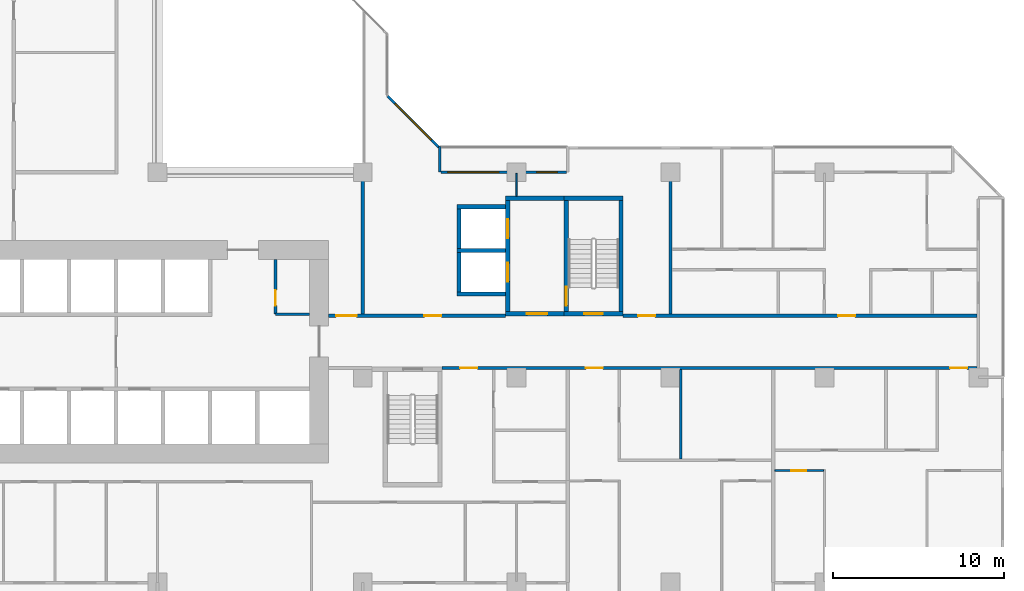
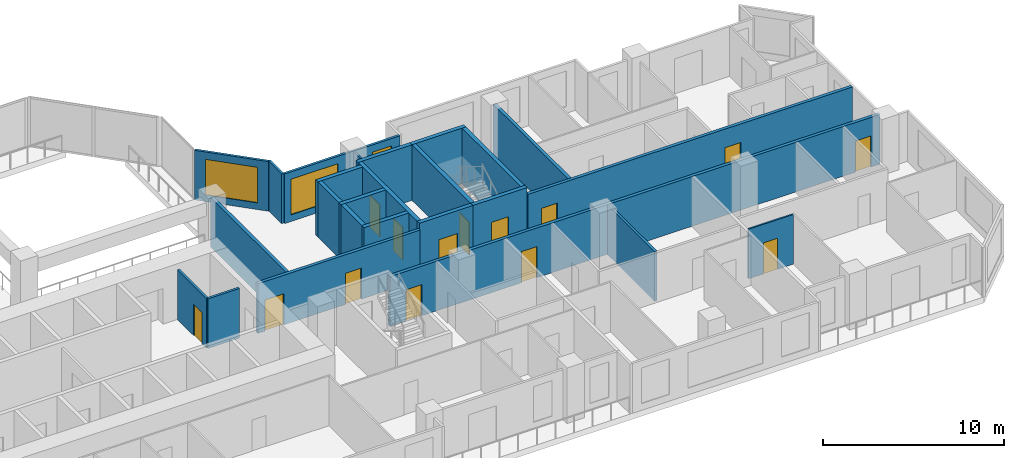
# One storey, part 7 of 15: 25 walls, 14 doors, 3 windows, 17 openings.
"""IFC4 building model written with IfcOpenShell, lengths in metres."""

from ifc_helpers import new_model, si_unit, direction, frame, frame_2d, origin, place, context, subcontext, project, spatial, rectangle, extrude, material, layer, layer_set, type_object, element, fill, save


model = new_model("IFC4")

# Units and contexts
model_context = context("Model", 3, precision=1e-05, world=origin(), true_north=direction((0.0, 1.0)))
body_context = subcontext(model_context, "Body", "Model", "MODEL_VIEW")
ifc_project = project(units=[si_unit("LENGTHUNIT", "METRE"), si_unit("AREAUNIT", "SQUARE_METRE"), si_unit("VOLUMEUNIT", "CUBIC_METRE"), si_unit("PLANEANGLEUNIT", "RADIAN"), si_unit("MASSUNIT", "GRAM", prefix="KILO")], contexts=[model_context])

# Site, building, storey
site_placement = place(None, origin())
site = spatial("IfcSite", under=ifc_project, at=site_placement, CompositionType="ELEMENT")
building_placement = place(site_placement, origin())
building = spatial("IfcBuilding", under=site, at=building_placement, Name="Chenar Terraces", CompositionType="ELEMENT")
storey_placement = place(building_placement, frame((0.0, 0.0, 60.14990234375)))
storey = spatial("IfcBuildingStorey", under=building, at=storey_placement, Name="L12", CompositionType="ELEMENT", Elevation=60.14990234375)

# Wall, opening, door
ifc_material_1 = material(Name="Gypsum board on steel studs", Category="steel")
ifc_layer_1 = layer(ifc_material_1, 0.14990234375)
ifc_layer_set_1 = layer_set([ifc_layer_1], Name="Gypsum board on steel studs")
wall_type_1 = type_object("IfcWallType", Name="Core partition 150 gypsum board", PredefinedType="PARTITIONING", material=ifc_layer_set_1)
wall_1_placement = place(storey_placement, frame((30.89990234375, 15.699951171875, 0.0), z_axis=(0.0, 0.0, 1.0), x_axis=(0.0, 1.0, 0.0)))
wall_1 = element("IfcWall", 1, at=wall_1_placement, inside=storey, type_object=wall_type_1, Name="Core partition CP1 vestibule room west wall", PredefinedType="PARTITIONING", context=body_context, shape_type="SweptSolid", body=[
    extrude(rectangle(XDim=3.199951171875, YDim=0.14990234375, at=frame_2d((1.60009765625, 0.0))), origin(), (0.0, 0.0, 1.0), 3.35009765625),
])
opening_1_placement = place(wall_1_placement, frame((0.5, 0.0, 0.0)))
opening_1 = element("IfcOpeningElement", 2, at=opening_1_placement, cuts=wall_1, Name="Opening DL12-C13", PredefinedType="OPENING", context=body_context, shape_type="SweptSolid", body=[
    extrude(rectangle(XDim=0.89990234375, YDim=2.10009765625, at=frame_2d((0.449951171875, 1.050048828125))), frame((0.0, 0.0849609375, 0.0), z_axis=(0.0, -1.0, 0.0), x_axis=(1.0, 0.0, 0.0)), (0.0, 0.0, 1.0), 0.169921875),
])
ifc_material_2 = material(Name="Steel-framed fire-resisting door leaf", Category="steel")
door_type_1 = type_object("IfcDoorType", Name="Riser fire door FD60 900 x 2100", OperationType="SINGLE_SWING_LEFT", PredefinedType="DOOR", material=ifc_material_2)
door_1_placement = place(opening_1_placement, frame((0.89990234375, 0.0, 0.0), z_axis=(0.0, 0.0, 1.0), x_axis=(-1.0, 0.0, 0.0)))
door_1 = element("IfcDoor", 3, at=door_1_placement, inside=storey, type_object=door_type_1, Name="Core room door DL12-C13", OperationType="SINGLE_SWING_RIGHT", OverallHeight=2.10009765625, OverallWidth=0.89990234375, PredefinedType="DOOR", context=body_context, shape_type="SweptSolid", body=[
    extrude(rectangle(XDim=0.89990234375, YDim=2.10009765625, at=frame_2d((0.449951171875, 1.050048828125))), frame((0.0, 0.02490234375, 0.0), z_axis=(0.0, -1.0, 0.0), x_axis=(1.0, 0.0, 0.0)), (0.0, 0.0, 1.0), 0.050048828125),
])
fill(opening_1, door_1)

# Wall
wall_2_placement = place(storey_placement, frame((30.89990234375, 15.699951171875, 0.0), z_axis=(0.0, 0.0, 1.0), x_axis=(1.0, 0.0, 0.0)))
element("IfcWall", 4, at=wall_2_placement, inside=storey, type_object=wall_type_1, Name="Core partition CP1 vestibule room south wall", PredefinedType="PARTITIONING", context=body_context, shape_type="SweptSolid", body=[
    extrude(rectangle(XDim=2.0, YDim=0.14990234375, at=frame_2d((1.0, 0.0))), origin(), (0.0, 0.0, 1.0), 3.35009765625),
])

# Wall, opening, door
ifc_material_3 = material(Name="Concrete C70/85", Category="concrete")
ifc_layer_2 = layer(ifc_material_3, 0.25)
ifc_layer_set_2 = layer_set([ifc_layer_2], Name="Concrete C70/85")
wall_type_2 = type_object("IfcWallType", Name="Core wall 250 Concrete C70/85", PredefinedType="SHEAR", material=ifc_layer_set_2)
wall_3_placement = place(storey_placement, frame((47.77490234375, 15.72509765625, 0.0), z_axis=(0.0, 0.0, 1.0), x_axis=(1.0, 0.0, 0.0)))
wall_3 = element("IfcWall", 5, at=wall_3_placement, inside=storey, type_object=wall_type_2, Name="Core wall ST3_S L12", PredefinedType="SHEAR", context=body_context, shape_type="SweptSolid", body=[
    extrude(rectangle(XDim=3.4501953125, YDim=0.25, at=frame_2d((1.72509765625, 0.0))), origin(), (0.0, 0.0, 1.0), 3.75),
])
opening_2_placement = place(wall_3_placement, frame((1.175048828125, 0.0, 0.0)))
opening_2 = element("IfcOpeningElement", 6, at=opening_2_placement, cuts=wall_3, Name="Opening DL12-C8", PredefinedType="OPENING", context=body_context, shape_type="SweptSolid", body=[
    extrude(rectangle(XDim=1.10009765625, YDim=2.199951171875, at=frame_2d((0.550048828125, 1.10009765625))), frame((0.0, 0.135009765625, 0.0), z_axis=(0.0, -1.0, 0.0), x_axis=(1.0, 0.0, 0.0)), (0.0, 0.0, 1.0), 0.27001953125),
])
ifc_material_4 = material(Name="Steel-framed fire-resisting door leaf", Category="steel")
door_type_2 = type_object("IfcDoorType", Name="Stair fire door FD60 1100 x 2200", OperationType="SINGLE_SWING_LEFT", PredefinedType="DOOR", material=ifc_material_4)
door_2_placement = place(opening_2_placement, frame((1.10009765625, 0.0, 0.0), z_axis=(0.0, 0.0, 1.0), x_axis=(-1.0, 0.0, 0.0)))
door_2 = element("IfcDoor", 7, at=door_2_placement, inside=storey, type_object=door_type_2, Name="Stair door DL12-C8", OperationType="SINGLE_SWING_LEFT", OverallHeight=2.199951171875, OverallWidth=1.10009765625, PredefinedType="DOOR", context=body_context, shape_type="SweptSolid", body=[
    extrude(rectangle(XDim=1.10009765625, YDim=2.199951171875, at=frame_2d((0.550048828125, 1.10009765625))), frame((0.0, 0.02490234375, 0.0), z_axis=(0.0, -1.0, 0.0), x_axis=(1.0, 0.0, 0.0)), (0.0, 0.0, 1.0), 0.050048828125),
])
fill(opening_2, door_2)

# Wall
wall_4_placement = place(storey_placement, frame((47.77490234375, 22.47509765625, 0.0), z_axis=(0.0, 0.0, 1.0), x_axis=(1.0, 0.0, 0.0)))
element("IfcWall", 8, at=wall_4_placement, inside=storey, type_object=wall_type_2, Name="Core wall ST3_N L12", PredefinedType="SHEAR", context=body_context, shape_type="SweptSolid", body=[
    extrude(rectangle(XDim=3.4501953125, YDim=0.25, at=frame_2d((1.72509765625, 0.0))), origin(), (0.0, 0.0, 1.0), 3.75),
])

# Wall, opening, door
wall_5_placement = place(storey_placement, frame((47.89990234375, 15.85009765625, 0.0), z_axis=(0.0, 0.0, 1.0), x_axis=(0.0, 1.0, 0.0)))
wall_5 = element("IfcWall", 9, at=wall_5_placement, inside=storey, type_object=wall_type_2, Name="Core wall ST3_W L12", PredefinedType="SHEAR", context=body_context, shape_type="SweptSolid", body=[
    extrude(rectangle(XDim=6.5, YDim=0.25, at=frame_2d((3.25, 0.0))), origin(), (0.0, 0.0, 1.0), 3.75),
])
opening_3_placement = place(wall_5_placement, frame((0.35009765625, 0.0, 0.0)))
opening_3 = element("IfcOpeningElement", 10, at=opening_3_placement, cuts=wall_5, Name="Opening DL12-C11", PredefinedType="OPENING", context=body_context, shape_type="SweptSolid", body=[
    extrude(rectangle(XDim=1.10009765625, YDim=2.199951171875, at=frame_2d((0.550048828125, 1.10009765625))), frame((0.0, 0.135009765625, 0.0), z_axis=(0.0, -1.0, 0.0), x_axis=(1.0, 0.0, 0.0)), (0.0, 0.0, 1.0), 0.27001953125),
])
door_3_placement = place(opening_3_placement, frame((1.10009765625, 0.0, 0.0), z_axis=(0.0, 0.0, 1.0), x_axis=(-1.0, 0.0, 0.0)))
door_3 = element("IfcDoor", 11, at=door_3_placement, inside=storey, type_object=door_type_2, Name="Stair door DL12-C11", OperationType="SINGLE_SWING_RIGHT", OverallHeight=2.199951171875, OverallWidth=1.10009765625, PredefinedType="DOOR", context=body_context, shape_type="SweptSolid", body=[
    extrude(rectangle(XDim=1.10009765625, YDim=2.199951171875, at=frame_2d((0.550048828125, 1.10009765625))), frame((0.0, 0.02490234375, 0.0), z_axis=(0.0, -1.0, 0.0), x_axis=(1.0, 0.0, 0.0)), (0.0, 0.0, 1.0), 0.050048828125),
])
fill(opening_3, door_3)

# Wall
wall_6_placement = place(storey_placement, frame((51.10009765625, 15.85009765625, 0.0), z_axis=(0.0, 0.0, 1.0), x_axis=(0.0, 1.0, 0.0)))
element("IfcWall", 12, at=wall_6_placement, inside=storey, type_object=wall_type_2, Name="Core wall ST3_E L12", PredefinedType="SHEAR", context=body_context, shape_type="SweptSolid", body=[
    extrude(rectangle(XDim=6.5, YDim=0.25, at=frame_2d((3.25, 0.0))), origin(), (0.0, 0.0, 1.0), 3.75),
])

# Wall, opening, door
wall_7_placement = place(storey_placement, frame((44.35009765625, 15.72509765625, 0.0), z_axis=(0.0, 0.0, 1.0), x_axis=(1.0, 0.0, 0.0)))
wall_7 = element("IfcWall", 13, at=wall_7_placement, inside=storey, type_object=wall_type_2, Name="Core wall F3_LS L12", PredefinedType="SHEAR", context=body_context, shape_type="SweptSolid", body=[
    extrude(rectangle(XDim=3.4248046875, YDim=0.25, at=frame_2d((1.71240234375, 0.0))), origin(), (0.0, 0.0, 1.0), 3.75),
])
opening_4_placement = place(wall_7_placement, frame((1.25, 0.0, 0.0)))
opening_4 = element("IfcOpeningElement", 14, at=opening_4_placement, cuts=wall_7, Name="Opening DL12-C10", PredefinedType="OPENING", context=body_context, shape_type="SweptSolid", body=[
    extrude(rectangle(XDim=1.199951171875, YDim=2.199951171875, at=frame_2d((0.60009765625, 1.10009765625))), frame((0.0, 0.135009765625, 0.0), z_axis=(0.0, -1.0, 0.0), x_axis=(1.0, 0.0, 0.0)), (0.0, 0.0, 1.0), 0.27001953125),
])
ifc_material_5 = material(Name="Steel-framed fire-resisting door leaf", Category="steel")
door_type_3 = type_object("IfcDoorType", Name="Lobby fire door FD60 1200 x 2200", OperationType="SINGLE_SWING_LEFT", PredefinedType="DOOR", material=ifc_material_5)
door_4_placement = place(opening_4_placement, origin())
door_4 = element("IfcDoor", 15, at=door_4_placement, inside=storey, type_object=door_type_3, Name="Core door DL12-C10", OperationType="SINGLE_SWING_RIGHT", OverallHeight=2.199951171875, OverallWidth=1.199951171875, PredefinedType="DOOR", context=body_context, shape_type="SweptSolid", body=[
    extrude(rectangle(XDim=1.199951171875, YDim=2.199951171875, at=frame_2d((0.60009765625, 1.10009765625))), frame((0.0, 0.02490234375, 0.0), z_axis=(0.0, -1.0, 0.0), x_axis=(1.0, 0.0, 0.0)), (0.0, 0.0, 1.0), 0.050048828125),
])
fill(opening_4, door_4)

# Wall
wall_8_placement = place(storey_placement, frame((44.35009765625, 22.47509765625, 0.0), z_axis=(0.0, 0.0, 1.0), x_axis=(1.0, 0.0, 0.0)))
element("IfcWall", 16, at=wall_8_placement, inside=storey, type_object=wall_type_2, Name="Core wall F3_LN L12", PredefinedType="SHEAR", context=body_context, shape_type="SweptSolid", body=[
    extrude(rectangle(XDim=3.4248046875, YDim=0.25, at=frame_2d((1.71240234375, 0.0))), origin(), (0.0, 0.0, 1.0), 3.75),
])

# Wall, openings, doors
wall_9_placement = place(storey_placement, frame((44.47509765625, 15.85009765625, 0.0), z_axis=(0.0, 0.0, 1.0), x_axis=(0.0, 1.0, 0.0)))
wall_9 = element("IfcWall", 17, at=wall_9_placement, inside=storey, type_object=wall_type_2, Name="Core wall F3_LW L12", PredefinedType="SHEAR", context=body_context, shape_type="SweptSolid", body=[
    extrude(rectangle(XDim=6.5, YDim=0.25, at=frame_2d((3.25, 0.0))), origin(), (0.0, 0.0, 1.0), 3.75),
])
opening_5_placement = place(wall_9_placement, frame((1.75, 0.0, 0.0)))
opening_5 = element("IfcOpeningElement", 18, at=opening_5_placement, cuts=wall_9, Name="Opening DL12-LD8", PredefinedType="OPENING", context=body_context, shape_type="SweptSolid", body=[
    extrude(rectangle(XDim=1.10009765625, YDim=2.199951171875, at=frame_2d((0.550048828125, 1.10009765625))), frame((0.0, 0.135009765625, 0.0), z_axis=(0.0, -1.0, 0.0), x_axis=(1.0, 0.0, 0.0)), (0.0, 0.0, 1.0), 0.27001953125),
])
opening_6_placement = place(wall_9_placement, frame((4.300048828125, 0.0, 0.0)))
opening_6 = element("IfcOpeningElement", 19, at=opening_6_placement, cuts=wall_9, Name="Opening DL12-LD9", PredefinedType="OPENING", context=body_context, shape_type="SweptSolid", body=[
    extrude(rectangle(XDim=1.10009765625, YDim=2.199951171875, at=frame_2d((0.550048828125, 1.10009765625))), frame((0.0, 0.135009765625, 0.0), z_axis=(0.0, -1.0, 0.0), x_axis=(1.0, 0.0, 0.0)), (0.0, 0.0, 1.0), 0.27001953125),
])
ifc_material_6 = material(Name="Stainless steel", Category="steel")
door_type_4 = type_object("IfcDoorType", Name="Lift landing door 1100 x 2200 sliding", OperationType="DOUBLE_DOOR_SLIDING", PredefinedType="DOOR", material=ifc_material_6)
door_5_placement = place(opening_5_placement, origin())
door_5 = element("IfcDoor", 20, at=door_5_placement, inside=storey, type_object=door_type_4, Name="Landing door F3", OperationType="DOUBLE_DOOR_SLIDING", OverallHeight=2.199951171875, OverallWidth=1.10009765625, PredefinedType="DOOR", context=body_context, shape_type="SweptSolid", body=[
    extrude(rectangle(XDim=1.10009765625, YDim=2.199951171875, at=frame_2d((0.550048828125, 1.10009765625))), frame((0.0, 0.02490234375, 0.0), z_axis=(0.0, -1.0, 0.0), x_axis=(1.0, 0.0, 0.0)), (0.0, 0.0, 1.0), 0.050048828125),
])
fill(opening_5, door_5)
door_6_placement = place(opening_6_placement, origin())
door_6 = element("IfcDoor", 21, at=door_6_placement, inside=storey, type_object=door_type_4, Name="Landing door F4", OperationType="DOUBLE_DOOR_SLIDING", OverallHeight=2.199951171875, OverallWidth=1.10009765625, PredefinedType="DOOR", context=body_context, shape_type="SweptSolid", body=[
    extrude(rectangle(XDim=1.10009765625, YDim=2.199951171875, at=frame_2d((0.550048828125, 1.10009765625))), frame((0.0, 0.02490234375, 0.0), z_axis=(0.0, -1.0, 0.0), x_axis=(1.0, 0.0, 0.0)), (0.0, 0.0, 1.0), 0.050048828125),
])
fill(opening_6, door_6)

# Walls
for number, where, z_axis, x_axis, name in (
    (22, (41.5, 16.875, 0.0), (0.0, 0.0, 1.0), (1.0, 0.0, 0.0), "Core wall F3_SS L12"),
    (23, (41.5, 19.425048828125, 0.0), (0.0, 0.0, 1.0), (1.0, 0.0, 0.0), "Core wall F3_SM L12"),
    (24, (41.5, 21.97509765625, 0.0), (0.0, 0.0, 1.0), (1.0, 0.0, 0.0), "Core wall F4_SN L12"),
):
    element("IfcWall", number, at=place(storey_placement, frame(where, z_axis=z_axis, x_axis=x_axis)), inside=storey, type_object=wall_type_2, Name=name, PredefinedType="SHEAR", context=body_context, shape_type="SweptSolid", body=[
        extrude(rectangle(XDim=2.85009765625, YDim=0.25, at=frame_2d((1.425048828125, 0.0))), origin(), (0.0, 0.0, 1.0), 3.75),
    ])
for number, where, z_axis, x_axis, name in (
    (25, (41.625, 17.0, 0.0), (0.0, 0.0, 1.0), (0.0, 1.0, 0.0), "Core wall F3_SW L12"),
    (26, (41.625, 19.550048828125, 0.0), (0.0, 0.0, 1.0), (0.0, 1.0, 0.0), "Core wall F4_SW L12"),
):
    element("IfcWall", number, at=place(storey_placement, frame(where, z_axis=z_axis, x_axis=x_axis)), inside=storey, type_object=wall_type_2, Name=name, PredefinedType="SHEAR", context=body_context, shape_type="SweptSolid", body=[
        extrude(rectangle(XDim=2.300048828125, YDim=0.25, at=frame_2d((1.14990234375, 0.0))), origin(), (0.0, 0.0, 1.0), 3.75),
    ])

# Wall, openings, doors
ifc_material_7 = material(Name="Gypsum board on steel studs with fire boards", Category="steel")
ifc_layer_3 = layer(ifc_material_7, 0.199951171875)
ifc_layer_set_3 = layer_set([ifc_layer_3], Name="Gypsum board on steel studs with fire boards")
wall_type_3 = type_object("IfcWallType", Name="Corridor wall 200", PredefinedType="PARTITIONING", material=ifc_layer_set_3)
wall_10_placement = place(storey_placement, frame((34.0, 15.60009765625, 0.0), z_axis=(0.0, 0.0, 1.0), x_axis=(1.0, 0.0, 0.0)))
wall_10 = element("IfcWall", 27, at=wall_10_placement, inside=storey, type_object=wall_type_3, Name="Partition L12-062", PredefinedType="PARTITIONING", context=body_context, shape_type="SweptSolid", body=[
    extrude(rectangle(XDim=10.35009765625, YDim=0.199951171875, at=frame_2d((5.175048828125, 0.0))), origin(), (0.0, 0.0, 1.0), 3.35009765625),
])
opening_7_placement = place(wall_10_placement, frame((5.60009765625, 0.0, 0.0)))
opening_7 = element("IfcOpeningElement", 28, at=opening_7_placement, cuts=wall_10, Name="Opening DL12-3", PredefinedType="OPENING", context=body_context, shape_type="SweptSolid", body=[
    extrude(rectangle(XDim=1.0, YDim=2.10009765625, at=frame_2d((0.5, 1.050048828125))), frame((0.0, 0.10986328125, 0.0), z_axis=(0.0, -1.0, 0.0), x_axis=(1.0, 0.0, 0.0)), (0.0, 0.0, 1.0), 0.219970703125),
])
opening_8_placement = place(wall_10_placement, frame((0.449951171875, 0.0, 0.0)))
opening_8 = element("IfcOpeningElement", 29, at=opening_8_placement, cuts=wall_10, Name="Opening DL12-50", PredefinedType="OPENING", context=body_context, shape_type="SweptSolid", body=[
    extrude(rectangle(XDim=1.199951171875, YDim=2.10009765625, at=frame_2d((0.60009765625, 1.050048828125))), frame((0.0, 0.10986328125, 0.0), z_axis=(0.0, -1.0, 0.0), x_axis=(1.0, 0.0, 0.0)), (0.0, 0.0, 1.0), 0.219970703125),
])
ifc_material_8 = material(Name="Steel-framed fire-resisting door leaf", Category="steel")
door_type_5 = type_object("IfcDoorType", Name="Fire door FD60 1000 x 2100", OperationType="SINGLE_SWING_LEFT", PredefinedType="DOOR", material=ifc_material_8)
door_7_placement = place(opening_7_placement, origin())
door_7 = element("IfcDoor", 30, at=door_7_placement, inside=storey, type_object=door_type_5, Name="Door DL12-3", OperationType="SINGLE_SWING_RIGHT", OverallHeight=2.10009765625, OverallWidth=1.0, PredefinedType="DOOR", context=body_context, shape_type="SweptSolid", body=[
    extrude(rectangle(XDim=1.0, YDim=2.10009765625, at=frame_2d((0.5, 1.050048828125))), frame((0.0, 0.02490234375, 0.0), z_axis=(0.0, -1.0, 0.0), x_axis=(1.0, 0.0, 0.0)), (0.0, 0.0, 1.0), 0.050048828125),
])
fill(opening_7, door_7)
ifc_material_9 = material(Name="Steel-framed fire-resisting door leaf", Category="steel")
door_type_6 = type_object("IfcDoorType", Name="Fire door FD60 1200 x 2100", OperationType="SINGLE_SWING_LEFT", PredefinedType="DOOR", material=ifc_material_9)
door_8_placement = place(opening_8_placement, origin())
door_8 = element("IfcDoor", 31, at=door_8_placement, inside=storey, type_object=door_type_6, Name="Door DL12-50", OperationType="SINGLE_SWING_RIGHT", OverallHeight=2.10009765625, OverallWidth=1.199951171875, PredefinedType="DOOR", context=body_context, shape_type="SweptSolid", body=[
    extrude(rectangle(XDim=1.199951171875, YDim=2.10009765625, at=frame_2d((0.60009765625, 1.050048828125))), frame((0.0, 0.02490234375, 0.0), z_axis=(0.0, -1.0, 0.0), x_axis=(1.0, 0.0, 0.0)), (0.0, 0.0, 1.0), 0.050048828125),
])
fill(opening_8, door_8)

# Wall
wall_11_placement = place(storey_placement, frame((36.0, 15.699951171875, 0.0), z_axis=(0.0, 0.0, 1.0), x_axis=(0.0, 1.0, 0.0)))
element("IfcWall", 32, at=wall_11_placement, inside=storey, type_object=wall_type_3, Name="Partition L12-063", PredefinedType="PARTITIONING", context=body_context, shape_type="SweptSolid", body=[
    extrude(rectangle(XDim=8.300048828125, YDim=0.199951171875, at=frame_2d((4.14990234375, 0.0))), origin(), (0.0, 0.0, 1.0), 3.35009765625),
])

# Wall, openings, doors
wall_12_placement = place(storey_placement, frame((40.64990234375, 12.550048828125, 0.0), z_axis=(0.0, 0.0, 1.0), x_axis=(1.0, 0.0, 0.0)))
wall_12 = element("IfcWall", 33, at=wall_12_placement, inside=storey, type_object=wall_type_3, Name="Partition L12-064", PredefinedType="PARTITIONING", context=body_context, shape_type="SweptSolid", body=[
    extrude(rectangle(XDim=31.276123046875, YDim=0.199951171875, at=frame_2d((15.63818359375, 0.0))), origin(), (0.0, 0.0, 1.0), 3.35009765625),
])
opening_9_placement = place(wall_12_placement, frame((8.39990234375, 0.0, 0.0)))
opening_9 = element("IfcOpeningElement", 34, at=opening_9_placement, cuts=wall_12, Name="Opening DL12-17", PredefinedType="OPENING", context=body_context, shape_type="SweptSolid", body=[
    extrude(rectangle(XDim=1.0, YDim=2.10009765625, at=frame_2d((0.5, 1.050048828125))), frame((0.0, 0.10986328125, 0.0), z_axis=(0.0, -1.0, 0.0), x_axis=(1.0, 0.0, 0.0)), (0.0, 0.0, 1.0), 0.219970703125),
])
opening_10_placement = place(wall_12_placement, frame((29.699951171875, 0.0, 0.0)))
opening_10 = element("IfcOpeningElement", 35, at=opening_10_placement, cuts=wall_12, Name="Opening DL12-22", PredefinedType="OPENING", context=body_context, shape_type="SweptSolid", body=[
    extrude(rectangle(XDim=1.0, YDim=2.10009765625, at=frame_2d((0.5, 1.050048828125))), frame((0.0, 0.10986328125, 0.0), z_axis=(0.0, -1.0, 0.0), x_axis=(1.0, 0.0, 0.0)), (0.0, 0.0, 1.0), 0.219970703125),
])
opening_11_placement = place(wall_12_placement, frame((1.050048828125, 0.0, 0.0)))
opening_11 = element("IfcOpeningElement", 36, at=opening_11_placement, cuts=wall_12, Name="Opening DL12-64", PredefinedType="OPENING", context=body_context, shape_type="SweptSolid", body=[
    extrude(rectangle(XDim=1.0, YDim=2.10009765625, at=frame_2d((0.5, 1.050048828125))), frame((0.0, 0.10986328125, 0.0), z_axis=(0.0, -1.0, 0.0), x_axis=(1.0, 0.0, 0.0)), (0.0, 0.0, 1.0), 0.219970703125),
])
ifc_material_10 = material(Name="Steel-framed fire-resisting door leaf", Category="steel")
door_type_7 = type_object("IfcDoorType", Name="Fire door FD30S 1000 x 2100", OperationType="SINGLE_SWING_LEFT", PredefinedType="DOOR", material=ifc_material_10)
door_9_placement = place(opening_9_placement, frame((1.0, 0.0, 0.0), z_axis=(0.0, 0.0, 1.0), x_axis=(-1.0, 0.0, 0.0)))
door_9 = element("IfcDoor", 37, at=door_9_placement, inside=storey, type_object=door_type_7, Name="Door DL12-17", OperationType="SINGLE_SWING_LEFT", OverallHeight=2.10009765625, OverallWidth=1.0, PredefinedType="DOOR", context=body_context, shape_type="SweptSolid", body=[
    extrude(rectangle(XDim=1.0, YDim=2.10009765625, at=frame_2d((0.5, 1.050048828125))), frame((0.0, 0.02490234375, 0.0), z_axis=(0.0, -1.0, 0.0), x_axis=(1.0, 0.0, 0.0)), (0.0, 0.0, 1.0), 0.050048828125),
])
fill(opening_9, door_9)
door_10_placement = place(opening_10_placement, frame((1.0, 0.0, 0.0), z_axis=(0.0, 0.0, 1.0), x_axis=(-1.0, 0.0, 0.0)))
door_10 = element("IfcDoor", 38, at=door_10_placement, inside=storey, type_object=door_type_7, Name="Door DL12-22", OperationType="SINGLE_SWING_LEFT", OverallHeight=2.10009765625, OverallWidth=1.0, PredefinedType="DOOR", context=body_context, shape_type="SweptSolid", body=[
    extrude(rectangle(XDim=1.0, YDim=2.10009765625, at=frame_2d((0.5, 1.050048828125))), frame((0.0, 0.02490234375, 0.0), z_axis=(0.0, -1.0, 0.0), x_axis=(1.0, 0.0, 0.0)), (0.0, 0.0, 1.0), 0.050048828125),
])
fill(opening_10, door_10)
door_11_placement = place(opening_11_placement, origin())
door_11 = element("IfcDoor", 39, at=door_11_placement, inside=storey, type_object=door_type_7, Name="Door DL12-64", OperationType="SINGLE_SWING_RIGHT", OverallHeight=2.10009765625, OverallWidth=1.0, PredefinedType="DOOR", context=body_context, shape_type="SweptSolid", body=[
    extrude(rectangle(XDim=1.0, YDim=2.10009765625, at=frame_2d((0.5, 1.050048828125))), frame((0.0, 0.02490234375, 0.0), z_axis=(0.0, -1.0, 0.0), x_axis=(1.0, 0.0, 0.0)), (0.0, 0.0, 1.0), 0.050048828125),
])
fill(opening_11, door_11)

wall_13_placement = place(storey_placement, frame((51.22509765625, 15.60009765625, 0.0), z_axis=(0.0, 0.0, 1.0), x_axis=(1.0, 0.0, 0.0)))
wall_13 = element("IfcWall", 40, at=wall_13_placement, inside=storey, type_object=wall_type_3, Name="Partition L12-077", PredefinedType="PARTITIONING", context=body_context, shape_type="SweptSolid", body=[
    extrude(rectangle(XDim=20.700927734375, YDim=0.199951171875, at=frame_2d((10.3505859375, 0.0))), origin(), (0.0, 0.0, 1.0), 3.35009765625),
])
opening_12_placement = place(wall_13_placement, frame((12.574951171875, 0.0, 0.0)))
opening_12 = element("IfcOpeningElement", 41, at=opening_12_placement, cuts=wall_13, Name="Opening DL12-10", PredefinedType="OPENING", context=body_context, shape_type="SweptSolid", body=[
    extrude(rectangle(XDim=1.0, YDim=2.10009765625, at=frame_2d((0.5, 1.050048828125))), frame((0.0, 0.10986328125, 0.0), z_axis=(0.0, -1.0, 0.0), x_axis=(1.0, 0.0, 0.0)), (0.0, 0.0, 1.0), 0.219970703125),
])
opening_13_placement = place(wall_13_placement, frame((0.875, 0.0, 0.0)))
opening_13 = element("IfcOpeningElement", 42, at=opening_13_placement, cuts=wall_13, Name="Opening DL12-53", PredefinedType="OPENING", context=body_context, shape_type="SweptSolid", body=[
    extrude(rectangle(XDim=1.0, YDim=2.10009765625, at=frame_2d((0.5, 1.050048828125))), frame((0.0, 0.10986328125, 0.0), z_axis=(0.0, -1.0, 0.0), x_axis=(1.0, 0.0, 0.0)), (0.0, 0.0, 1.0), 0.219970703125),
])
door_12_placement = place(opening_12_placement, origin())
door_12 = element("IfcDoor", 43, at=door_12_placement, inside=storey, type_object=door_type_7, Name="Door DL12-10", OperationType="SINGLE_SWING_LEFT", OverallHeight=2.10009765625, OverallWidth=1.0, PredefinedType="DOOR", context=body_context, shape_type="SweptSolid", body=[
    extrude(rectangle(XDim=1.0, YDim=2.10009765625, at=frame_2d((0.5, 1.050048828125))), frame((0.0, 0.02490234375, 0.0), z_axis=(0.0, -1.0, 0.0), x_axis=(1.0, 0.0, 0.0)), (0.0, 0.0, 1.0), 0.050048828125),
])
fill(opening_12, door_12)
door_13_placement = place(opening_13_placement, origin())
door_13 = element("IfcDoor", 44, at=door_13_placement, inside=storey, type_object=door_type_7, Name="Door DL12-53", OperationType="SINGLE_SWING_RIGHT", OverallHeight=2.10009765625, OverallWidth=1.0, PredefinedType="DOOR", context=body_context, shape_type="SweptSolid", body=[
    extrude(rectangle(XDim=1.0, YDim=2.10009765625, at=frame_2d((0.5, 1.050048828125))), frame((0.0, 0.02490234375, 0.0), z_axis=(0.0, -1.0, 0.0), x_axis=(1.0, 0.0, 0.0)), (0.0, 0.0, 1.0), 0.050048828125),
])
fill(opening_13, door_13)

# Wall, openings, windows
ifc_material_11 = material(Name="Aluminium framed glazing", Category="aluminium")
ifc_layer_4 = layer(ifc_material_11, 0.14990234375)
ifc_layer_set_4 = layer_set([ifc_layer_4], Name="Aluminium framed glazing")
wall_type_4 = type_object("IfcWallType", Name="Glazed loggia back wall 150", PredefinedType="SOLIDWALL", material=ifc_layer_set_4)
wall_14_placement = place(storey_placement, frame((47.925048828125, 24.0, 0.0), z_axis=(0.0, 0.0, 1.0), x_axis=(-1.0, 0.0, 0.0)))
wall_14 = element("IfcWall", 45, at=wall_14_placement, inside=storey, type_object=wall_type_4, Name="Glazed loggia back wall", PredefinedType="SOLIDWALL", context=body_context, shape_type="SweptSolid", body=[
    extrude(rectangle(XDim=7.35009765625, YDim=0.14990234375, at=frame_2d((3.675048828125, 0.0))), origin(), (0.0, 0.0, 1.0), 3.35009765625),
])
opening_14_placement = place(wall_14_placement, frame((0.53759765625, 0.0, 0.449951171875)))
opening_14 = element("IfcOpeningElement", 46, at=opening_14_placement, cuts=wall_14, Name="Opening W120x240", PredefinedType="OPENING", context=body_context, shape_type="SweptSolid", body=[
    extrude(rectangle(XDim=1.199951171875, YDim=2.39990234375, at=frame_2d((0.60009765625, 1.199951171875))), frame((0.0, 0.0849609375, 0.0), z_axis=(0.0, -1.0, 0.0), x_axis=(1.0, 0.0, 0.0)), (0.0, 0.0, 1.0), 0.169921875),
])
opening_15_placement = place(wall_14_placement, frame((3.96240234375, 0.0, 0.449951171875)))
opening_15 = element("IfcOpeningElement", 47, at=opening_15_placement, cuts=wall_14, Name="Opening W300x240", PredefinedType="OPENING", context=body_context, shape_type="SweptSolid", body=[
    extrude(rectangle(XDim=3.0, YDim=2.39990234375, at=frame_2d((1.5, 1.199951171875))), frame((0.0, 0.0849609375, 0.0), z_axis=(0.0, -1.0, 0.0), x_axis=(1.0, 0.0, 0.0)), (0.0, 0.0, 1.0), 0.169921875),
])
ifc_material_12 = material(Name="Low emissivity double glazing, aluminium frame", Category="aluminium")
window_type_1 = type_object("IfcWindowType", Name="Fixed light 1200 x 2400", PartitioningType="SINGLE_PANEL", PredefinedType="WINDOW", material=ifc_material_12)
window_1_placement = place(opening_14_placement, origin())
window_1 = element("IfcWindow", 48, at=window_1_placement, inside=storey, type_object=window_type_1, Name="Window", OverallHeight=2.39990234375, OverallWidth=1.199951171875, PartitioningType="SINGLE_PANEL", PredefinedType="WINDOW", context=body_context, shape_type="SweptSolid", body=[
    extrude(rectangle(XDim=1.199951171875, YDim=2.39990234375, at=frame_2d((0.60009765625, 1.199951171875))), frame((0.0, 0.030029296875, 0.0), z_axis=(0.0, -1.0, 0.0), x_axis=(1.0, 0.0, 0.0)), (0.0, 0.0, 1.0), 0.06005859375),
])
fill(opening_14, window_1)
ifc_material_13 = material(Name="Low emissivity double glazing, aluminium frame", Category="aluminium")
window_type_2 = type_object("IfcWindowType", Name="Fixed light 3000 x 2400", PartitioningType="SINGLE_PANEL", PredefinedType="WINDOW", material=ifc_material_13)
window_2_placement = place(opening_15_placement, origin())
window_2 = element("IfcWindow", 49, at=window_2_placement, inside=storey, type_object=window_type_2, Name="Window", OverallHeight=2.39990234375, OverallWidth=3.0, PartitioningType="SINGLE_PANEL", PredefinedType="WINDOW", context=body_context, shape_type="SweptSolid", body=[
    extrude(rectangle(XDim=3.0, YDim=2.39990234375, at=frame_2d((1.5, 1.199951171875))), frame((0.0, 0.030029296875, 0.0), z_axis=(0.0, -1.0, 0.0), x_axis=(1.0, 0.0, 0.0)), (0.0, 0.0, 1.0), 0.06005859375),
])
fill(opening_15, window_2)

# Wall
ifc_material_14 = material(Name="Gypsum board on steel studs", Category="steel")
ifc_layer_5 = layer(ifc_material_14, 0.10009765625)
ifc_layer_set_5 = layer_set([ifc_layer_5], Name="Gypsum board on steel studs")
wall_type_5 = type_object("IfcWallType", Name="Gypsum partition 100", PredefinedType="PARTITIONING", material=ifc_layer_set_5)
wall_15_placement = place(storey_placement, frame((45.0, 22.60009765625, 0.0), z_axis=(0.0, 0.0, 1.0), x_axis=(0.0, 1.0, 0.0)))
element("IfcWall", 50, at=wall_15_placement, inside=storey, type_object=wall_type_5, Name="Partition L12-070", PredefinedType="PARTITIONING", context=body_context, shape_type="SweptSolid", body=[
    extrude(rectangle(XDim=1.325927734375, YDim=0.10009765625, at=frame_2d((0.6630859375, 0.0))), origin(), (0.0, 0.0, 1.0), 3.35009765625),
])

# Wall, opening, door
wall_16_placement = place(storey_placement, frame((60.10009765625, 6.550048828125, 0.0), z_axis=(0.0, 0.0, 1.0), x_axis=(1.0, 0.0, 0.0)))
wall_16 = element("IfcWall", 51, at=wall_16_placement, inside=storey, type_object=wall_type_5, Name="Partition L12-087", PredefinedType="PARTITIONING", context=body_context, shape_type="SweptSolid", body=[
    extrude(rectangle(XDim=2.849853515625, YDim=0.10009765625, at=frame_2d((1.4248046875, 0.0))), origin(), (0.0, 0.0, 1.0), 3.35009765625),
])
opening_16_placement = place(wall_16_placement, frame((0.949951171875, 0.0, 0.0)))
opening_16 = element("IfcOpeningElement", 52, at=opening_16_placement, cuts=wall_16, Name="Opening DL12-19", PredefinedType="OPENING", context=body_context, shape_type="SweptSolid", body=[
    extrude(rectangle(XDim=0.89990234375, YDim=2.10009765625, at=frame_2d((0.449951171875, 1.050048828125))), frame((0.0, 0.06005859375, 0.0), z_axis=(0.0, -1.0, 0.0), x_axis=(1.0, 0.0, 0.0)), (0.0, 0.0, 1.0), 0.1201171875),
])
ifc_material_15 = material(Name="Veneered timber door leaf", Category="wood")
door_type_8 = type_object("IfcDoorType", Name="Door 900 x 2100", OperationType="SINGLE_SWING_LEFT", PredefinedType="DOOR", material=ifc_material_15)
door_14_placement = place(opening_16_placement, frame((0.89990234375, 0.0, 0.0), z_axis=(0.0, 0.0, 1.0), x_axis=(-1.0, 0.0, 0.0)))
door_14 = element("IfcDoor", 53, at=door_14_placement, inside=storey, type_object=door_type_8, Name="Door DL12-19", OperationType="SINGLE_SWING_LEFT", OverallHeight=2.10009765625, OverallWidth=0.89990234375, PredefinedType="DOOR", context=body_context, shape_type="SweptSolid", body=[
    extrude(rectangle(XDim=0.89990234375, YDim=2.10009765625, at=frame_2d((0.449951171875, 1.050048828125))), frame((0.0, 0.02490234375, 0.0), z_axis=(0.0, -1.0, 0.0), x_axis=(1.0, 0.0, 0.0)), (0.0, 0.0, 1.0), 0.050048828125),
])
fill(opening_16, door_14)

# Wall
ifc_material_16 = material(Name="Terracotta cladding on insulated backing", Category="masonry")
ifc_layer_6 = layer(ifc_material_16, 0.14990234375)
ifc_layer_set_6 = layer_set([ifc_layer_6], Name="Terracotta cladding on insulated backing")
wall_type_6 = type_object("IfcWallType", Name="Loggia return wall 150", PredefinedType="SOLIDWALL", material=ifc_layer_set_6)
wall_17_placement = place(storey_placement, frame((40.5, 25.5, 0.0), z_axis=(0.0, 0.0, 1.0), x_axis=(0.0, -1.0, 0.0)))
element("IfcWall", 54, at=wall_17_placement, inside=storey, type_object=wall_type_6, Name="Loggia return wall", PredefinedType="SOLIDWALL", context=body_context, shape_type="SweptSolid", body=[
    extrude(rectangle(XDim=1.5, YDim=0.14990234375, at=frame_2d((0.75, 0.0))), origin(), (0.0, 0.0, 1.0), 3.35009765625),
])

# Wall, opening, window
ifc_material_17 = material(Name="Terracotta cladding on insulated backing", Category="masonry")
ifc_layer_7 = layer(ifc_material_17, 0.14990234375)
ifc_layer_set_7 = layer_set([ifc_layer_7], Name="Terracotta cladding on insulated backing")
wall_type_7 = type_object("IfcWallType", Name="Terracotta rainscreen wall 150", PredefinedType="SOLIDWALL", material=ifc_layer_set_7)
wall_18_placement = place(storey_placement, frame((40.447021484375, 25.447021484375, 0.0), z_axis=(0.0, 0.0, 1.0), x_axis=(-0.707106781187, 0.707106781187, 0.0)))
wall_18 = element("IfcWall", 55, at=wall_18_placement, inside=storey, type_object=wall_type_7, Name="Terracotta rainscreen wall", PredefinedType="SOLIDWALL", context=body_context, shape_type="SweptSolid", body=[
    extrude(rectangle(XDim=4.24267578125, YDim=0.14990234375, at=frame_2d((2.121337890625, 0.0))), origin(), (0.0, 0.0, 1.0), 3.35009765625),
])
opening_17_placement = place(wall_18_placement, frame((0.621337890625, 0.0, 0.449951171875)))
opening_17 = element("IfcOpeningElement", 56, at=opening_17_placement, cuts=wall_18, Name="Opening W300x240", PredefinedType="OPENING", context=body_context, shape_type="SweptSolid", body=[
    extrude(rectangle(XDim=3.0, YDim=2.39990234375, at=frame_2d((1.5, 1.199951171875))), frame((0.0, 0.0849609375, 0.0), z_axis=(0.0, -1.0, 0.0), x_axis=(1.0, 0.0, 0.0)), (0.0, 0.0, 1.0), 0.169921875),
])
window_3_placement = place(opening_17_placement, origin())
window_3 = element("IfcWindow", 57, at=window_3_placement, inside=storey, type_object=window_type_2, Name="Window", OverallHeight=2.39990234375, OverallWidth=3.0, PartitioningType="SINGLE_PANEL", PredefinedType="WINDOW", context=body_context, shape_type="SweptSolid", body=[
    extrude(rectangle(XDim=3.0, YDim=2.39990234375, at=frame_2d((1.5, 1.199951171875))), frame((0.0, 0.030029296875, 0.0), z_axis=(0.0, -1.0, 0.0), x_axis=(1.0, 0.0, 0.0)), (0.0, 0.0, 1.0), 0.06005859375),
])
fill(opening_17, window_3)

# Walls
ifc_material_18 = material(Name="Twin gypsum board on steel studs with mineral wool", Category="steel")
ifc_layer_8 = layer(ifc_material_18, 0.199951171875)
ifc_layer_set_8 = layer_set([ifc_layer_8], Name="Twin gypsum board on steel studs with mineral wool")
wall_type_8 = type_object("IfcWallType", Name="Unit demising wall 200", PredefinedType="PARTITIONING", material=ifc_layer_set_8)
wall_19_placement = place(storey_placement, frame((54.0, 15.699951171875, 0.0), z_axis=(0.0, 0.0, 1.0), x_axis=(0.0, 1.0, 0.0)))
element("IfcWall", 58, at=wall_19_placement, inside=storey, type_object=wall_type_8, Name="Partition L12-078", PredefinedType="PARTITIONING", context=body_context, shape_type="SweptSolid", body=[
    extrude(rectangle(XDim=8.300048828125, YDim=0.199951171875, at=frame_2d((4.14990234375, 0.0))), origin(), (0.0, 0.0, 1.0), 3.35009765625),
])
ifc_material_19 = material(Name="Moisture-resistant gypsum board on steel studs", Category="steel")
ifc_layer_9 = layer(ifc_material_19, 0.14990234375)
ifc_layer_set_9 = layer_set([ifc_layer_9], Name="Moisture-resistant gypsum board on steel studs")
wall_type_9 = type_object("IfcWallType", Name="Wet-room partition 150", PredefinedType="PARTITIONING", material=ifc_layer_set_9)
wall_20_placement = place(storey_placement, frame((54.60009765625, 7.22509765625, 0.0), z_axis=(0.0, 0.0, 1.0), x_axis=(0.0, 1.0, 0.0)))
element("IfcWall", 59, at=wall_20_placement, inside=storey, type_object=wall_type_9, Name="Partition L12-081", PredefinedType="PARTITIONING", context=body_context, shape_type="SweptSolid", body=[
    extrude(rectangle(XDim=5.224853515625, YDim=0.14990234375, at=frame_2d((2.6123046875, 0.0))), origin(), (0.0, 0.0, 1.0), 3.35009765625),
])

save(model, "model.ifc")
